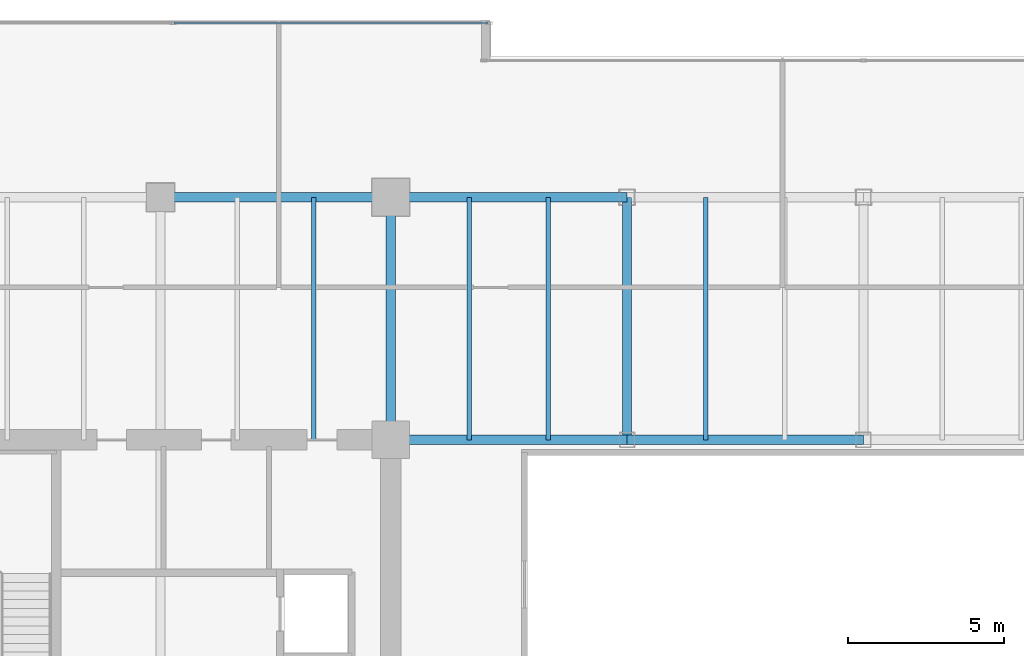
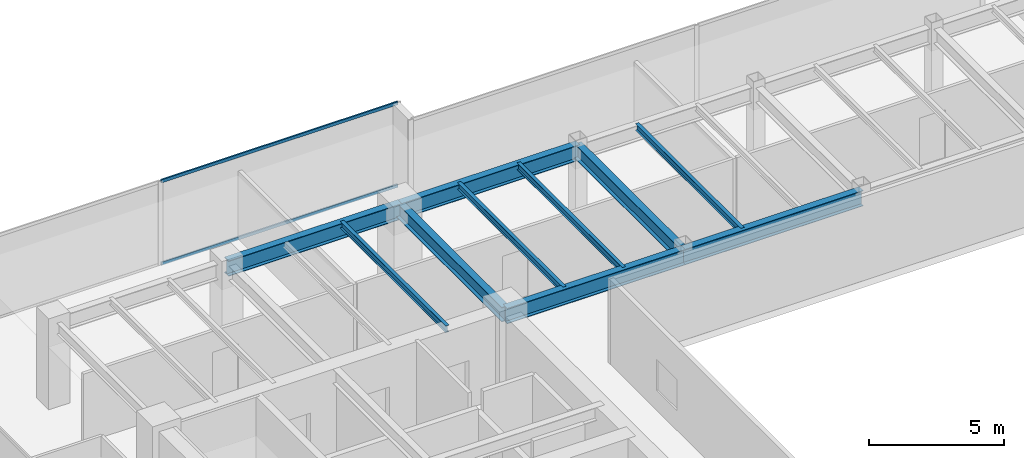
# One storey, part 15 of 33: 10 beams, 2 members, 1 element without a shape of its own.
"""IFC4 building model written with IfcOpenShell, lengths in metres."""

from ifc_helpers import new_model, si_unit, direction, frame, origin, origin_2d, place, context, subcontext, project, spatial, hollow_rectangle, i_section, extrude, source, transform, mapped, material, layer, layer_set, material_profile, profile_set, type_object, type_shapes, element, aggregate, save


model = new_model("IFC4")

# Units and contexts
model_context = context("Model", 3, precision=1e-05, world=origin(), true_north=direction((0.0, 1.0)))
body_context = subcontext(model_context, "Body", "Model", "MODEL_VIEW")
ifc_project = project(units=[si_unit("LENGTHUNIT", "METRE"), si_unit("AREAUNIT", "SQUARE_METRE"), si_unit("VOLUMEUNIT", "CUBIC_METRE"), si_unit("PLANEANGLEUNIT", "RADIAN"), si_unit("MASSUNIT", "GRAM", prefix="KILO")], contexts=[model_context])

# Site, building, storey
site_placement = place(None, origin())
site = spatial("IfcSite", under=ifc_project, at=site_placement, CompositionType="ELEMENT")
building_placement = place(site_placement, origin())
building = spatial("IfcBuilding", under=site, at=building_placement, Name="Haelvirn Gate Laboratories", CompositionType="ELEMENT")
storey_placement = place(building_placement, frame((0.0, 0.0, 117.39990234375)))
storey = spatial("IfcBuildingStorey", under=building, at=storey_placement, Name="L28", CompositionType="ELEMENT", Elevation=117.39990234375)

# Beams
ifc_material_1 = material(Name="Steel SM355", Category="steel")
ifc_material_profile_1 = material_profile(ifc_material_1, i_section(OverallWidth=0.300048828125, OverallDepth=0.64990234375, WebThickness=0.012939453125, FlangeThickness=0.02197265625, at=origin_2d()), Name="H-650x300x13x22")
ifc_profile_set_1 = profile_set([ifc_material_profile_1], Name="Steel SM355")
beam_type_1 = type_object("IfcBeamType", Name="BM-G-650", PredefinedType="BEAM", material=ifc_profile_set_1)
shared_shape_1 = source(origin(), body_context, "Body", "SweptSolid", [
    extrude(i_section(OverallWidth=0.300048828125, OverallDepth=0.64990234375, WebThickness=0.012939453125, FlangeThickness=0.02197265625, at=origin_2d()), origin(), (0.0, 0.0, 1.0), 7.800048828125),
])
type_shapes(beam_type_1, [shared_shape_1])
for number, where, z_axis, x_axis, name in (
    (1, (22.199951171875, 33.800048828125, 3.465087890625), (0.0, 1.0, 0.0), (-1.0, 0.0, 0.0), "L28 Frame Girder X22.2 (33.8-41.6)"),
    (2, (29.800048828125, 33.800048828125, 3.465087890625), (0.0, 1.0, 0.0), (-1.0, 0.0, 0.0), "L28 Frame Girder X29.8 (33.8-41.6)"),
):
    element("IfcBeam", number, at=place(storey_placement, frame(where, z_axis=z_axis, x_axis=x_axis)), inside=storey, type_object=beam_type_1, Name=name, PredefinedType="BEAM", context=body_context, shape_type="MappedRepresentation", body=[
        mapped(shared_shape_1, transform((0.0, 0.0, 0.0), scale=1.0)),
    ])
ifc_material_profile_2 = material_profile(ifc_material_1, i_section(OverallWidth=0.300048828125, OverallDepth=0.699951171875, WebThickness=0.012939453125, FlangeThickness=0.02392578125, at=origin_2d()), Name="H-700x300x13x24")
ifc_profile_set_2 = profile_set([ifc_material_profile_2], Name="Steel SM355")
beam_type_2 = type_object("IfcBeamType", Name="BM-G-700", PredefinedType="BEAM", material=ifc_profile_set_2)
shared_shape_2 = source(origin(), body_context, "Body", "SweptSolid", [
    extrude(i_section(OverallWidth=0.300048828125, OverallDepth=0.699951171875, WebThickness=0.012939453125, FlangeThickness=0.02392578125, at=origin_2d()), origin(), (0.0, 0.0, 1.0), 7.39990234375),
])
beam_1_placement = place(storey_placement, frame((14.800048828125, 41.60009765625, 3.440185546875), z_axis=(1.0, 0.0, 0.0), x_axis=(0.0, 1.0, 0.0)))
element("IfcBeam", 3, at=beam_1_placement, inside=storey, type_object=beam_type_2, Name="L28 Primary Girder Y41.6 (14.8-22.2)", PredefinedType="BEAM", context=body_context, shape_type="MappedRepresentation", body=[
    mapped(shared_shape_2, transform((0.0, 0.0, 0.0), scale=1.0)),
])
shared_shape_3 = source(origin(), body_context, "Body", "SweptSolid", [
    extrude(i_section(OverallWidth=0.300048828125, OverallDepth=0.699951171875, WebThickness=0.012939453125, FlangeThickness=0.02392578125, at=origin_2d()), origin(), (0.0, 0.0, 1.0), 7.60009765625),
])
for number, where, z_axis, x_axis, name in (
    (4, (22.199951171875, 33.800048828125, 3.440185546875), (1.0, 0.0, 0.0), (0.0, 1.0, 0.0), "L28 Primary Girder Y33.8 (22.2-29.8)"),
    (5, (22.199951171875, 41.60009765625, 3.440185546875), (1.0, 0.0, 0.0), (0.0, 1.0, 0.0), "L28 Primary Girder Y41.6 (22.2-29.8)"),
):
    element("IfcBeam", number, at=place(storey_placement, frame(where, z_axis=z_axis, x_axis=x_axis)), inside=storey, type_object=beam_type_2, Name=name, PredefinedType="BEAM", context=body_context, shape_type="MappedRepresentation", body=[
        mapped(shared_shape_3, transform((0.0, 0.0, 0.0), scale=1.0)),
    ])
shared_shape_4 = source(origin(), body_context, "Body", "SweptSolid", [
    extrude(i_section(OverallWidth=0.300048828125, OverallDepth=0.699951171875, WebThickness=0.012939453125, FlangeThickness=0.02392578125, at=origin_2d()), origin(), (0.0, 0.0, 1.0), 7.599853515625),
])
type_shapes(beam_type_2, [shared_shape_2, shared_shape_3, shared_shape_4])
beam_2_placement = place(storey_placement, frame((29.800048828125, 33.800048828125, 3.440185546875), z_axis=(1.0, 0.0, 0.0), x_axis=(0.0, 1.0, 0.0)))
element("IfcBeam", 6, at=beam_2_placement, inside=storey, type_object=beam_type_2, Name="L28 Primary Girder Y33.8 (29.8-37.4)", PredefinedType="BEAM", context=body_context, shape_type="MappedRepresentation", body=[
    mapped(shared_shape_4, transform((0.0, 0.0, 0.0), scale=1.0)),
])
ifc_material_profile_3 = material_profile(ifc_material_1, i_section(OverallWidth=0.14990234375, OverallDepth=0.300048828125, WebThickness=0.006591796875, FlangeThickness=0.009033203125, at=origin_2d()), Name="H-300x150x6.5x9")
ifc_profile_set_3 = profile_set([ifc_material_profile_3], Name="Steel SM355")
beam_type_3 = type_object("IfcBeamType", Name="BM-J-300", PredefinedType="JOIST", material=ifc_profile_set_3)
shared_shape_5 = source(origin(), body_context, "Body", "SweptSolid", [
    extrude(i_section(OverallWidth=0.14990234375, OverallDepth=0.300048828125, WebThickness=0.006591796875, FlangeThickness=0.009033203125, at=origin_2d()), origin(), (0.0, 0.0, 1.0), 7.800048828125),
])
type_shapes(beam_type_3, [shared_shape_5])
for number, where, z_axis, x_axis, name in (
    (7, (19.72998046875, 33.800048828125, 3.64013671875), (0.0, 1.0, 0.0), (-1.0, 0.0, 0.0), "L28 Composite Lab Joist North X19.73"),
    (8, (24.72998046875, 33.800048828125, 3.64013671875), (0.0, 1.0, 0.0), (-1.0, 0.0, 0.0), "L28 Composite Lab Joist North X24.73"),
    (9, (27.27001953125, 33.800048828125, 3.64013671875), (0.0, 1.0, 0.0), (-1.0, 0.0, 0.0), "L28 Composite Lab Joist North X27.27"),
    (10, (32.330078125, 33.800048828125, 3.64013671875), (0.0, 1.0, 0.0), (-1.0, 0.0, 0.0), "L28 Composite Lab Joist North X32.33"),
):
    element("IfcBeam", number, at=place(storey_placement, frame(where, z_axis=z_axis, x_axis=x_axis)), inside=storey, type_object=beam_type_3, Name=name, PredefinedType="JOIST", context=body_context, shape_type="MappedRepresentation", body=[
        mapped(shared_shape_5, transform((0.0, 0.0, 0.0), scale=1.0)),
    ])

# Curtain wall, members
ifc_material_2 = material(Name="Anodised bronze unitised aluminium & triple low-E glass", Category="aluminium")
ifc_layer = layer(ifc_material_2, 0.179931640625, Name="CW-SYS-3")
ifc_layer_set = layer_set([ifc_layer], Name="Anodised bronze unitised aluminium & triple low-E glass")
curtain_wall_type = type_object("IfcCurtainWallType", Name="CW-SYS-3", PredefinedType="NOTDEFINED", material=ifc_layer_set)
curtain_wall_placement = place(storey_placement, origin())
curtain_wall = element("IfcCurtainWall", 11, at=curtain_wall_placement, inside=storey, type_object=curtain_wall_type, Name="L28 Unitised Curtain Wall CW-L28-P0-E14-1", PredefinedType="NOTDEFINED")
ifc_material_3 = material(Name="Extruded aluminium 6063-T6 (anodised bronze)", Category="aluminium")
ifc_material_profile_4 = material_profile(ifc_material_3, hollow_rectangle(XDim=0.06494140625, YDim=0.139892578125, WallThickness=0.00390625, at=origin_2d()), Name="CWT-140x65x4")
ifc_profile_set_4 = profile_set([ifc_material_profile_4], Name="Extruded aluminium 6063-T6 (anodised bronze)")
member_type = type_object("IfcMemberType", Name="CWT-T140", PredefinedType="USERDEFINED", material=ifc_profile_set_4)
shared_shape_6 = source(origin(), body_context, "Body", "SweptSolid", [
    extrude(hollow_rectangle(XDim=0.06494140625, YDim=0.139892578125, WallThickness=0.00390625, at=origin_2d()), origin(), (0.0, 0.0, 1.0), 10.08740234375),
])
type_shapes(member_type, [shared_shape_6])
member_1_placement = place(storey_placement, frame((15.237548828125, 47.199951171875, 0.03271484375), z_axis=(1.0, 0.0, 0.0), x_axis=(0.0, 1.0, 0.0)))
member_1 = element("IfcMember", 12, at=member_1_placement, type_object=member_type, Name="CW3 transom 2.1", ObjectType="TRANSOM", PredefinedType="USERDEFINED", context=body_context, shape_type="MappedRepresentation", body=[
    mapped(shared_shape_6, transform((0.0, 0.0, 0.0), scale=1.0)),
])
member_2_placement = place(storey_placement, frame((15.237548828125, 47.199951171875, 3.757568359375), z_axis=(1.0, 0.0, 0.0), x_axis=(0.0, 1.0, 0.0)))
member_2 = element("IfcMember", 13, at=member_2_placement, type_object=member_type, Name="CW3 transom 2.2", ObjectType="TRANSOM", PredefinedType="USERDEFINED", context=body_context, shape_type="MappedRepresentation", body=[
    mapped(shared_shape_6, transform((0.0, 0.0, 0.0), scale=1.0)),
])
aggregate(curtain_wall, [member_1, member_2])

save(model, "model.ifc")
